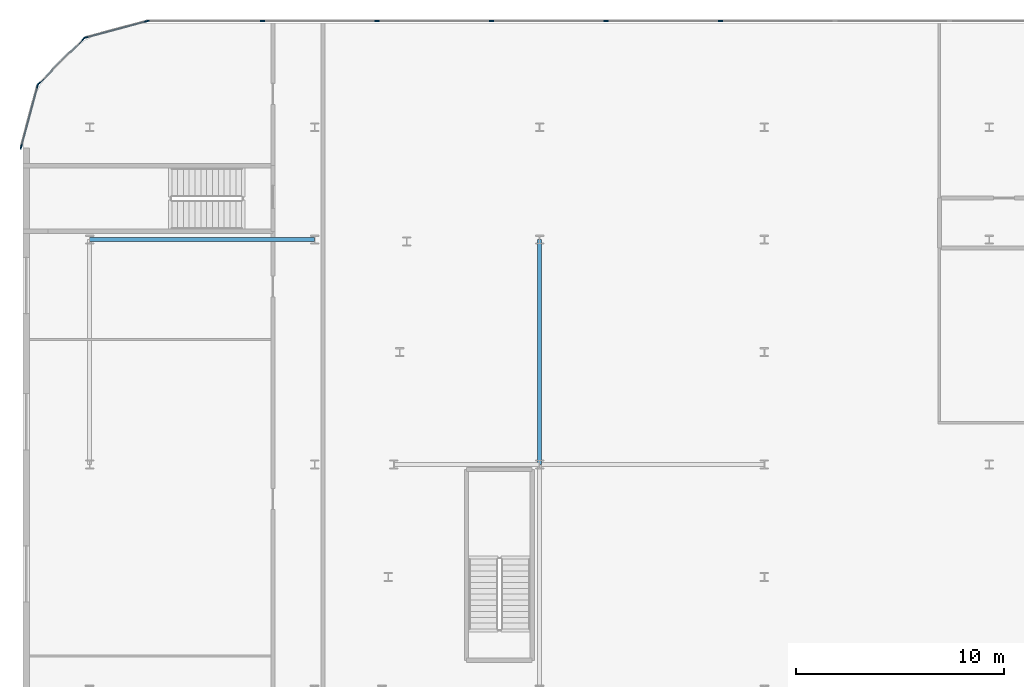
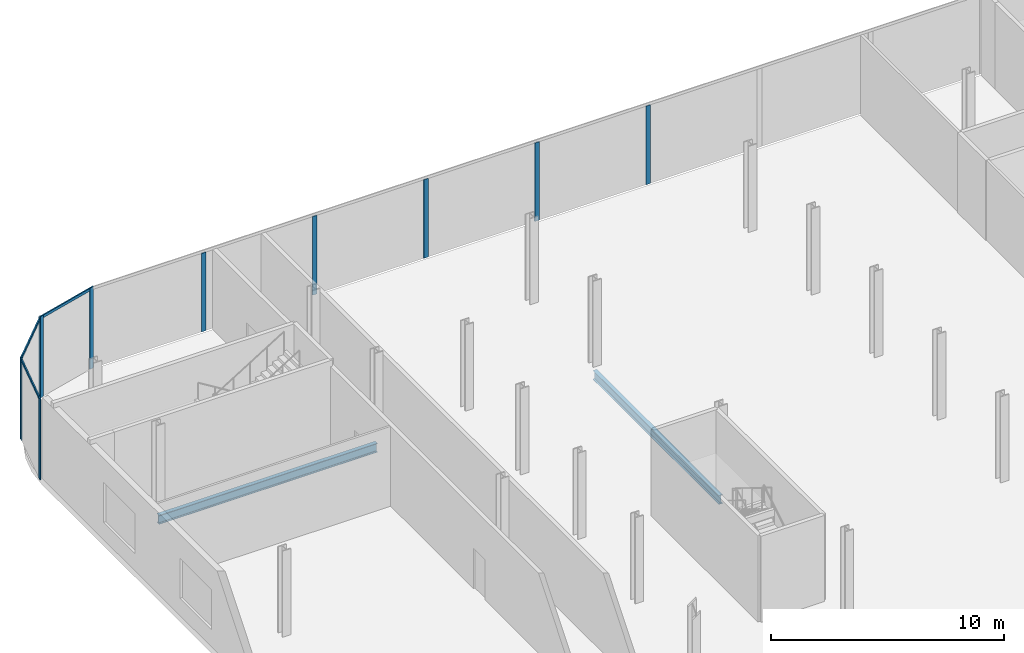
# One storey, part 16 of 47: 14 members, 2 beams, 4 elements without a shape of their own.
"""IFC4 building model written with IfcOpenShell, lengths in metres."""

from ifc_helpers import new_model, si_unit, direction, frame, origin, origin_2d, place, context, subcontext, project, spatial, rectangle, i_section, extrude, material, layer, layer_set, material_profile, profile_set, type_object, element, aggregate, save


model = new_model("IFC4")

# Units and contexts
model_context = context("Model", 3, precision=1e-05, world=origin(), true_north=direction((0.0, 1.0)))
body_context = subcontext(model_context, "Body", "Model", "MODEL_VIEW")
ifc_project = project(units=[si_unit("LENGTHUNIT", "METRE"), si_unit("AREAUNIT", "SQUARE_METRE"), si_unit("VOLUMEUNIT", "CUBIC_METRE"), si_unit("PLANEANGLEUNIT", "RADIAN"), si_unit("MASSUNIT", "GRAM", prefix="KILO")], contexts=[model_context])

# Site, building, storey
site_placement = place(None, origin())
site = spatial("IfcSite", under=ifc_project, at=site_placement, CompositionType="ELEMENT")
building_placement = place(site_placement, origin())
building = spatial("IfcBuilding", under=site, at=building_placement, Name="Kheshtan School and Residences Tower", CompositionType="ELEMENT")
storey_placement = place(building_placement, frame((0.0, 0.0, 21.5)))
storey = spatial("IfcBuildingStorey", under=building, at=storey_placement, Name="L04", CompositionType="ELEMENT", Elevation=21.5)

# Beams
ifc_material_1 = material(Name="Steel ASTM A992 Grade 50", Category="steel")
ifc_material_profile_1 = material_profile(ifc_material_1, i_section(OverallWidth=0.194091796875, OverallDepth=0.468994140625, WebThickness=0.0126953125, FlangeThickness=0.0205078125, FilletRadius=0.01416015625, at=origin_2d()), Name="W460x106")
ifc_profile_set_1 = profile_set([ifc_material_profile_1], Name="Steel ASTM A992 Grade 50")
beam_type = type_object("IfcBeamType", Name="Beam PB2 W460x106 ASTM A992 Grade 50", PredefinedType="BEAM", material=ifc_profile_set_1)
for number, where, z_axis, x_axis, name in (
    (1, (36.800048828125, 88.800048828125, -0.554443359375), (0.0, 1.0, 0.0), (-1.0, 0.0, 0.0), "Podium floor beam PB2"),
    (2, (15.199951171875, 99.60009765625, -0.554443359375), (1.0, 0.0, 0.0), (0.0, 1.0, 0.0), "Podium floor beam PB2"),
):
    element("IfcBeam", number, at=place(storey_placement, frame(where, z_axis=z_axis, x_axis=x_axis)), inside=storey, type_object=beam_type, Name=name, PredefinedType="BEAM", context=body_context, shape_type="SweptSolid", body=[
        extrude(i_section(OverallWidth=0.194091796875, OverallDepth=0.468994140625, WebThickness=0.0126953125, FlangeThickness=0.0205078125, FilletRadius=0.01416015625, at=origin_2d()), origin(), (0.0, 0.0, 1.0), 10.800048828125),
    ])

# Curtain wall, members
ifc_material_2 = material(Name="Clear low-e glass in thermally broken aluminium frame", Category="aluminium")
ifc_layer = layer(ifc_material_2, 0.22509765625)
ifc_layer_set = layer_set([ifc_layer], Name="Curtain wall CW-P")
curtain_wall_type = type_object("IfcCurtainWallType", Name="Curtain wall CW-P", PredefinedType="NOTDEFINED", material=ifc_layer_set)
curtain_wall_1_placement = place(storey_placement, origin())
curtain_wall_1 = element("IfcCurtainWall", 3, at=curtain_wall_1_placement, inside=storey, type_object=curtain_wall_type, Name="Curtain wall CWP1a", PredefinedType="NOTDEFINED")
ifc_material_3 = material(Name="Thermally broken aluminium, dark bronze anodised", Category="aluminium")
ifc_material_profile_2 = material_profile(ifc_material_3, rectangle(XDim=0.06005859375, YDim=0.22509765625, at=origin_2d()), Name="CW-P mullion 60x225")
ifc_profile_set_2 = profile_set([ifc_material_profile_2], Name="Thermally broken aluminium, dark bronze anodised")
member_type_1 = type_object("IfcMemberType", Name="CW-P mullion 60x225", PredefinedType="MULLION", material=ifc_profile_set_2)
member_1_placement = place(storey_placement, frame((11.9111328125, 104.054931640625, 0.0), z_axis=(0.0, 0.0, 1.0), x_axis=(-0.965913556273, 0.258864833085, 0.0)))
member_1 = element("IfcMember", 4, at=member_1_placement, type_object=member_type_1, Name="CWP1a mullion 1", PredefinedType="MULLION", context=body_context, shape_type="SweptSolid", body=[
    extrude(rectangle(XDim=0.06005859375, YDim=0.22509765625, at=origin_2d()), origin(), (0.0, 0.0, 1.0), 4.25),
])
member_2_placement = place(storey_placement, frame((12.69970703125, 106.996826171875, 0.0), z_axis=(0.0, 0.0, 1.0), x_axis=(-0.965913556273, 0.258864833085, 0.0)))
member_2 = element("IfcMember", 5, at=member_2_placement, type_object=member_type_1, Name="CWP1a mullion 2", PredefinedType="MULLION", context=body_context, shape_type="SweptSolid", body=[
    extrude(rectangle(XDim=0.06005859375, YDim=0.22509765625, at=origin_2d()), origin(), (0.0, 0.0, 1.0), 4.25),
])

curtain_wall_2_placement = place(storey_placement, origin())
curtain_wall_2 = element("IfcCurtainWall", 6, at=curtain_wall_2_placement, inside=storey, type_object=curtain_wall_type, Name="Curtain wall CWP2a", PredefinedType="NOTDEFINED")
member_3_placement = place(storey_placement, frame((12.75439453125, 107.092041015625, 0.0), z_axis=(0.0, 0.0, 1.0), x_axis=(-0.707106781187, 0.707106781187, 0.0)))
member_3 = element("IfcMember", 7, at=member_3_placement, type_object=member_type_1, Name="CWP2a mullion 1", PredefinedType="MULLION", context=body_context, shape_type="SweptSolid", body=[
    extrude(rectangle(XDim=0.06005859375, YDim=0.22509765625, at=origin_2d()), origin(), (0.0, 0.0, 1.0), 4.25),
])
member_4_placement = place(storey_placement, frame((14.907958984375, 109.24560546875, 0.0), z_axis=(0.0, 0.0, 1.0), x_axis=(-0.707106781187, 0.707106781187, 0.0)))
member_4 = element("IfcMember", 8, at=member_4_placement, type_object=member_type_1, Name="CWP2a mullion 2", PredefinedType="MULLION", context=body_context, shape_type="SweptSolid", body=[
    extrude(rectangle(XDim=0.06005859375, YDim=0.22509765625, at=origin_2d()), origin(), (0.0, 0.0, 1.0), 4.25),
])

curtain_wall_3_placement = place(storey_placement, origin())
curtain_wall_3 = element("IfcCurtainWall", 9, at=curtain_wall_3_placement, inside=storey, type_object=curtain_wall_type, Name="Curtain wall CWP3a", PredefinedType="NOTDEFINED")
member_5_placement = place(storey_placement, frame((15.003173828125, 109.30029296875, 0.0), z_axis=(0.0, 0.0, 1.0), x_axis=(-0.258864833085, 0.965913556273, 0.0)))
member_5 = element("IfcMember", 10, at=member_5_placement, type_object=member_type_1, Name="CWP3a mullion 1", PredefinedType="MULLION", context=body_context, shape_type="SweptSolid", body=[
    extrude(rectangle(XDim=0.06005859375, YDim=0.22509765625, at=origin_2d()), origin(), (0.0, 0.0, 1.0), 4.25),
])
member_6_placement = place(storey_placement, frame((17.945068359375, 110.0888671875, 0.0), z_axis=(0.0, 0.0, 1.0), x_axis=(-0.258864833085, 0.965913556273, 0.0)))
member_6 = element("IfcMember", 11, at=member_6_placement, type_object=member_type_1, Name="CWP3a mullion 2", PredefinedType="MULLION", context=body_context, shape_type="SweptSolid", body=[
    extrude(rectangle(XDim=0.06005859375, YDim=0.22509765625, at=origin_2d()), origin(), (0.0, 0.0, 1.0), 4.25),
])

curtain_wall_4_placement = place(storey_placement, origin())
curtain_wall_4 = element("IfcCurtainWall", 12, at=curtain_wall_4_placement, inside=storey, type_object=curtain_wall_type, Name="Curtain wall CWP4a", PredefinedType="NOTDEFINED")
member_7_placement = place(storey_placement, frame((23.498291015625, 110.10009765625, 0.0), z_axis=(0.0, 0.0, 1.0), x_axis=(0.0, 1.0, 0.0)))
member_7 = element("IfcMember", 13, at=member_7_placement, type_object=member_type_1, Name="CWP4a mullion 2", PredefinedType="MULLION", context=body_context, shape_type="SweptSolid", body=[
    extrude(rectangle(XDim=0.06005859375, YDim=0.22509765625, at=origin_2d()), origin(), (0.0, 0.0, 1.0), 4.110107421875),
])
member_8_placement = place(storey_placement, frame((28.996337890625, 110.10009765625, 0.0), z_axis=(0.0, 0.0, 1.0), x_axis=(0.0, 1.0, 0.0)))
member_8 = element("IfcMember", 14, at=member_8_placement, type_object=member_type_1, Name="CWP4a mullion 3", PredefinedType="MULLION", context=body_context, shape_type="SweptSolid", body=[
    extrude(rectangle(XDim=0.06005859375, YDim=0.22509765625, at=origin_2d()), origin(), (0.0, 0.0, 1.0), 4.110107421875),
])
member_9_placement = place(storey_placement, frame((34.49462890625, 110.10009765625, 0.0), z_axis=(0.0, 0.0, 1.0), x_axis=(0.0, 1.0, 0.0)))
member_9 = element("IfcMember", 15, at=member_9_placement, type_object=member_type_1, Name="CWP4a mullion 4", PredefinedType="MULLION", context=body_context, shape_type="SweptSolid", body=[
    extrude(rectangle(XDim=0.06005859375, YDim=0.22509765625, at=origin_2d()), origin(), (0.0, 0.0, 1.0), 4.110107421875),
])
member_10_placement = place(storey_placement, frame((39.99267578125, 110.10009765625, 0.0), z_axis=(0.0, 0.0, 1.0), x_axis=(0.0, 1.0, 0.0)))
member_10 = element("IfcMember", 16, at=member_10_placement, type_object=member_type_1, Name="CWP4a mullion 5", PredefinedType="MULLION", context=body_context, shape_type="SweptSolid", body=[
    extrude(rectangle(XDim=0.06005859375, YDim=0.22509765625, at=origin_2d()), origin(), (0.0, 0.0, 1.0), 4.110107421875),
])
member_11_placement = place(storey_placement, frame((45.490966796875, 110.10009765625, 0.0), z_axis=(0.0, 0.0, 1.0), x_axis=(0.0, 1.0, 0.0)))
member_11 = element("IfcMember", 17, at=member_11_placement, type_object=member_type_1, Name="CWP4a mullion 6", PredefinedType="MULLION", context=body_context, shape_type="SweptSolid", body=[
    extrude(rectangle(XDim=0.06005859375, YDim=0.22509765625, at=origin_2d()), origin(), (0.0, 0.0, 1.0), 4.110107421875),
])
aggregate(curtain_wall_4, [member_7, member_8, member_9, member_10, member_11])

# Member
ifc_material_profile_3 = material_profile(ifc_material_3, rectangle(XDim=0.06005859375, YDim=0.139892578125, at=origin_2d()), Name="CW-P transom 60x140")
ifc_profile_set_3 = profile_set([ifc_material_profile_3], Name="Thermally broken aluminium, dark bronze anodised")
member_type_2 = type_object("IfcMemberType", Name="CW-P transom 60x140", PredefinedType="USERDEFINED", material=ifc_profile_set_3)
member_12_placement = place(storey_placement, frame((11.9189453125, 104.083740234375, 4.179931640625), z_axis=(0.258853238275, 0.965916663607, 0.0), x_axis=(-0.965916663607, 0.258853238275, 0.0)))
member_12 = element("IfcMember", 18, at=member_12_placement, type_object=member_type_2, Name="CWP1a transom 1", ObjectType="TRANSOM", PredefinedType="USERDEFINED", context=body_context, shape_type="SweptSolid", body=[
    extrude(rectangle(XDim=0.06005859375, YDim=0.139892578125, at=origin_2d()), origin(), (0.0, 0.0, 1.0), 2.986083984375),
])

aggregate(curtain_wall_1, [member_1, member_2, member_12])

member_13_placement = place(storey_placement, frame((12.775634765625, 107.113037109375, 4.179931640625), z_axis=(0.707106781187, 0.707106781187, 0.0), x_axis=(-0.707106781187, 0.707106781187, 0.0)))
member_13 = element("IfcMember", 19, at=member_13_placement, type_object=member_type_2, Name="CWP2a transom 1", ObjectType="TRANSOM", PredefinedType="USERDEFINED", context=body_context, shape_type="SweptSolid", body=[
    extrude(rectangle(XDim=0.06005859375, YDim=0.139892578125, at=origin_2d()), origin(), (0.0, 0.0, 1.0), 2.98583984375),
])

aggregate(curtain_wall_2, [member_3, member_4, member_13])

member_14_placement = place(storey_placement, frame((15.031982421875, 109.30810546875, 4.179931640625), z_axis=(0.965916663607, 0.258853238275, 0.0), x_axis=(-0.258853238275, 0.965916663607, 0.0)))
member_14 = element("IfcMember", 20, at=member_14_placement, type_object=member_type_2, Name="CWP3a transom 1", ObjectType="TRANSOM", PredefinedType="USERDEFINED", context=body_context, shape_type="SweptSolid", body=[
    extrude(rectangle(XDim=0.06005859375, YDim=0.139892578125, at=origin_2d()), origin(), (0.0, 0.0, 1.0), 2.986083984375),
])

aggregate(curtain_wall_3, [member_5, member_6, member_14])

save(model, "model.ifc")
